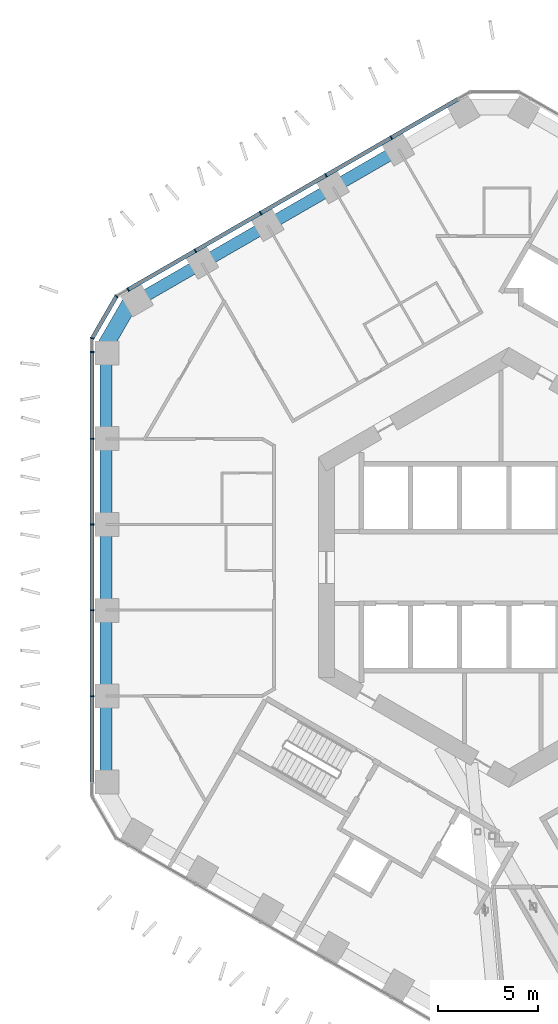
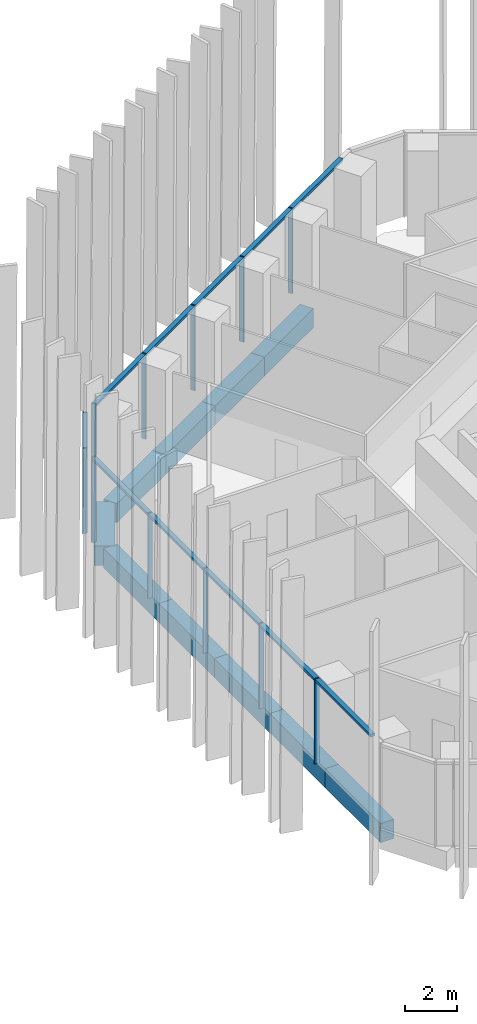
# One storey, part 7 of 29: 15 members, 10 beams, 3 elements without a shape of their own.
"""IFC4 building model written with IfcOpenShell, lengths in metres."""

from ifc_helpers import new_model, si_unit, direction, frame, origin, origin_2d, place, context, subcontext, project, spatial, rectangle, extrude, material, layer, layer_set, material_profile, profile_set, type_object, element, aggregate, save


model = new_model("IFC4")

# Units and contexts
model_context = context("Model", 3, precision=1e-05, world=origin(), true_north=direction((0.0, 1.0)))
body_context = subcontext(model_context, "Body", "Model", "MODEL_VIEW")
ifc_project = project(units=[si_unit("LENGTHUNIT", "METRE"), si_unit("AREAUNIT", "SQUARE_METRE"), si_unit("VOLUMEUNIT", "CUBIC_METRE"), si_unit("PLANEANGLEUNIT", "RADIAN"), si_unit("MASSUNIT", "GRAM", prefix="KILO")], contexts=[model_context])

# Site, building, storey
site_placement = place(None, origin())
site = spatial("IfcSite", under=ifc_project, at=site_placement, CompositionType="ELEMENT")
building_placement = place(site_placement, origin())
building = spatial("IfcBuilding", under=site, at=building_placement, Name="Ayvan Gate Tower", CompositionType="ELEMENT")
storey_placement = place(building_placement, frame((0.0, 0.0, 66.300048828125)))
storey = spatial("IfcBuildingStorey", under=building, at=storey_placement, Name="L17", CompositionType="ELEMENT", Elevation=66.300048828125)

# Beams
ifc_material_1 = material(Name="Concrete C40/50", Category="concrete")
ifc_material_profile_1 = material_profile(ifc_material_1, rectangle(XDim=0.800048828125, YDim=0.89990234375, at=origin_2d()), Name="RC 800x900")
ifc_profile_set_1 = profile_set([ifc_material_profile_1], Name="Concrete C40/50")
beam_type_1 = type_object("IfcBeamType", Name="Corner spandrel beam RC 800x900 C40/50", PredefinedType="BEAM", material=ifc_profile_set_1)
beam_1_placement = place(storey_placement, frame((-18.77783203125, 13.378662109375, -0.85009765625), z_axis=(-0.499990139034, -0.866031096941, 0.0), x_axis=(0.866031096941, -0.499990139034, 0.0)))
element("IfcBeam", 1, at=beam_1_placement, inside=storey, type_object=beam_type_1, Name="SB-L17-18", PredefinedType="BEAM", context=body_context, shape_type="SweptSolid", body=[
    extrude(rectangle(XDim=0.800048828125, YDim=0.89990234375, at=origin_2d()), origin(), (0.0, 0.0, 1.0), 3.0),
])
ifc_material_profile_2 = material_profile(ifc_material_1, rectangle(XDim=0.60009765625, YDim=0.89990234375, at=origin_2d()), Name="RC 600x900")
ifc_profile_set_2 = profile_set([ifc_material_profile_2], Name="Concrete C40/50")
beam_type_2 = type_object("IfcBeamType", Name="Spandrel beam RC 600x900 C40/50", PredefinedType="BEAM", material=ifc_profile_set_2)
beam_2_placement = place(storey_placement, frame((-5.475341796875, 20.8388671875, -0.85009765625), z_axis=(-0.866027695742, -0.499996030192, 0.0), x_axis=(0.499996030192, -0.866027695742, 0.0)))
element("IfcBeam", 2, at=beam_2_placement, inside=storey, type_object=beam_type_2, Name="SB-L17-14", PredefinedType="BEAM", context=body_context, shape_type="SweptSolid", body=[
    extrude(rectangle(XDim=0.60009765625, YDim=0.89990234375, at=origin_2d()), origin(), (0.0, 0.0, 1.0), 3.78515625),
])
beam_3_placement = place(storey_placement, frame((-8.75341796875, 18.9462890625, -0.85009765625), z_axis=(-0.866011569904, -0.500023960219, 0.0), x_axis=(0.500023960219, -0.866011569904, 0.0)))
element("IfcBeam", 3, at=beam_3_placement, inside=storey, type_object=beam_type_2, Name="SB-L17-15", PredefinedType="BEAM", context=body_context, shape_type="SweptSolid", body=[
    extrude(rectangle(XDim=0.60009765625, YDim=0.89990234375, at=origin_2d()), origin(), (0.0, 0.0, 1.0), 3.784912109375),
])
beam_4_placement = place(storey_placement, frame((-12.03125, 17.0537109375, -0.85009765625), z_axis=(-0.866027695742, -0.499996030192, 0.0), x_axis=(0.499996030192, -0.866027695742, 0.0)))
element("IfcBeam", 4, at=beam_4_placement, inside=storey, type_object=beam_type_2, Name="SB-L17-16", PredefinedType="BEAM", context=body_context, shape_type="SweptSolid", body=[
    extrude(rectangle(XDim=0.60009765625, YDim=0.89990234375, at=origin_2d()), origin(), (0.0, 0.0, 1.0), 3.78515625),
])
beam_5_placement = place(storey_placement, frame((-15.309326171875, 15.1611328125, -0.85009765625), z_axis=(-0.866011569904, -0.500023960219, 0.0), x_axis=(0.500023960219, -0.866011569904, 0.0)))
element("IfcBeam", 5, at=beam_5_placement, inside=storey, type_object=beam_type_2, Name="SB-L17-17", PredefinedType="BEAM", context=body_context, shape_type="SweptSolid", body=[
    extrude(rectangle(XDim=0.60009765625, YDim=0.89990234375, at=origin_2d()), origin(), (0.0, 0.0, 1.0), 3.784912109375),
])
for number, where, z_axis, x_axis, name in (
    (6, (-20.087158203125, 10.670654296875, -0.85009765625), (0.0, -1.0, 0.0), (1.0, 0.0, 0.0), "SB-L17-19"),
    (7, (-20.087158203125, 6.40234375, -0.85009765625), (0.0, -1.0, 0.0), (1.0, 0.0, 0.0), "SB-L17-20"),
):
    element("IfcBeam", number, at=place(storey_placement, frame(where, z_axis=z_axis, x_axis=x_axis)), inside=storey, type_object=beam_type_2, Name=name, PredefinedType="BEAM", context=body_context, shape_type="SweptSolid", body=[
        extrude(rectangle(XDim=0.60009765625, YDim=0.89990234375, at=origin_2d()), origin(), (0.0, 0.0, 1.0), 4.268310546875),
    ])
beam_6_placement = place(storey_placement, frame((-20.087158203125, 2.134033203125, -0.85009765625), z_axis=(0.0, -1.0, 0.0), x_axis=(1.0, 0.0, 0.0)))
element("IfcBeam", 8, at=beam_6_placement, inside=storey, type_object=beam_type_2, Name="SB-L17-21", PredefinedType="BEAM", context=body_context, shape_type="SweptSolid", body=[
    extrude(rectangle(XDim=0.60009765625, YDim=0.89990234375, at=origin_2d()), origin(), (0.0, 0.0, 1.0), 4.26806640625),
])
for number, where, z_axis, x_axis, name in (
    (9, (-20.087158203125, -2.134033203125, -0.85009765625), (0.0, -1.0, 0.0), (1.0, 0.0, 0.0), "SB-L17-22"),
    (10, (-20.087158203125, -6.40234375, -0.85009765625), (0.0, -1.0, 0.0), (1.0, 0.0, 0.0), "SB-L17-23"),
):
    element("IfcBeam", number, at=place(storey_placement, frame(where, z_axis=z_axis, x_axis=x_axis)), inside=storey, type_object=beam_type_2, Name=name, PredefinedType="BEAM", context=body_context, shape_type="SweptSolid", body=[
        extrude(rectangle(XDim=0.60009765625, YDim=0.89990234375, at=origin_2d()), origin(), (0.0, 0.0, 1.0), 4.268310546875),
    ])

# Curtain wall, members
ifc_material_2 = material(Name="Bronze anodised aluminium", Category="aluminium")
ifc_layer_1 = layer(ifc_material_2, 0.199951171875)
ifc_layer_set_1 = layer_set([ifc_layer_1], Name="Bronze anodised aluminium")
curtain_wall_type_1 = type_object("IfcCurtainWallType", Name="Stick curtain wall CW-1", PredefinedType="NOTDEFINED", material=ifc_layer_set_1)
curtain_wall_1_placement = place(storey_placement, origin())
curtain_wall_1 = element("IfcCurtainWall", 11, at=curtain_wall_1_placement, inside=storey, type_object=curtain_wall_type_1, Name="Stick curtain wall CW-1 L17", PredefinedType="NOTDEFINED")
ifc_material_profile_3 = material_profile(ifc_material_2, rectangle(XDim=0.199951171875, YDim=0.06005859375, at=origin_2d()), Name="Stick curtain wall CW-1 mullion 200 x 60")
ifc_profile_set_3 = profile_set([ifc_material_profile_3], Name="Bronze anodised aluminium")
member_type_1 = type_object("IfcMemberType", Name="Stick curtain wall CW-1 mullion 200 x 60", PredefinedType="MULLION", material=ifc_profile_set_3)
member_1_placement = place(storey_placement, frame((-5.85546875, 21.427490234375, 0.0), z_axis=(0.0, 0.0, 1.0), x_axis=(-0.5, 0.866025403784, 0.0)))
member_1 = element("IfcMember", 12, at=member_1_placement, type_object=member_type_1, Name="CW-1 mullion 2", PredefinedType="MULLION", context=body_context, shape_type="SweptSolid", body=[
    extrude(rectangle(XDim=0.199951171875, YDim=0.06005859375, at=origin_2d()), origin(), (0.0, 0.0, 1.0), 4.0),
])
member_2_placement = place(storey_placement, frame((-9.113525390625, 19.546630859375, 0.0), z_axis=(0.0, 0.0, 1.0), x_axis=(-0.5, 0.866025403784, 0.0)))
member_2 = element("IfcMember", 13, at=member_2_placement, type_object=member_type_1, Name="CW-1 mullion 3", PredefinedType="MULLION", context=body_context, shape_type="SweptSolid", body=[
    extrude(rectangle(XDim=0.199951171875, YDim=0.06005859375, at=origin_2d()), origin(), (0.0, 0.0, 1.0), 4.0),
])
member_3_placement = place(storey_placement, frame((-12.37158203125, 17.66552734375, 0.0), z_axis=(0.0, 0.0, 1.0), x_axis=(-0.5, 0.866025403784, 0.0)))
member_3 = element("IfcMember", 14, at=member_3_placement, type_object=member_type_1, Name="CW-1 mullion 4", PredefinedType="MULLION", context=body_context, shape_type="SweptSolid", body=[
    extrude(rectangle(XDim=0.199951171875, YDim=0.06005859375, at=origin_2d()), origin(), (0.0, 0.0, 1.0), 4.0),
])
member_4_placement = place(storey_placement, frame((-15.62939453125, 15.78466796875, 0.0), z_axis=(0.0, 0.0, 1.0), x_axis=(-0.5, 0.866025403784, 0.0)))
member_4 = element("IfcMember", 15, at=member_4_placement, type_object=member_type_1, Name="CW-1 mullion 5", PredefinedType="MULLION", context=body_context, shape_type="SweptSolid", body=[
    extrude(rectangle(XDim=0.199951171875, YDim=0.06005859375, at=origin_2d()), origin(), (0.0, 0.0, 1.0), 4.0),
])
member_5_placement = place(storey_placement, frame((-18.976318359375, 13.852294921875, 0.0), z_axis=(0.0, 0.0, 1.0), x_axis=(-0.5, 0.866025403784, 0.0)))
member_5 = element("IfcMember", 16, at=member_5_placement, type_object=member_type_1, Name="CW-1 mullion 6", PredefinedType="MULLION", context=body_context, shape_type="SweptSolid", body=[
    extrude(rectangle(XDim=0.199951171875, YDim=0.06005859375, at=origin_2d()), origin(), (0.0, 0.0, 1.0), 4.0),
])

curtain_wall_2_placement = place(storey_placement, origin())
curtain_wall_2 = element("IfcCurtainWall", 17, at=curtain_wall_2_placement, inside=storey, type_object=curtain_wall_type_1, Name="Stick curtain wall CW-1 L17", PredefinedType="NOTDEFINED")
member_6_placement = place(storey_placement, frame((-20.7724609375, 10.7412109375, 0.0), z_axis=(0.0, 0.0, 1.0), x_axis=(-1.0, 0.0, 0.0)))
member_6 = element("IfcMember", 18, at=member_6_placement, type_object=member_type_1, Name="CW-1 mullion 1", PredefinedType="MULLION", context=body_context, shape_type="SweptSolid", body=[
    extrude(rectangle(XDim=0.199951171875, YDim=0.06005859375, at=origin_2d()), origin(), (0.0, 0.0, 1.0), 4.0),
])
member_7_placement = place(storey_placement, frame((-20.7724609375, 6.419189453125, 0.0), z_axis=(0.0, 0.0, 1.0), x_axis=(-1.0, 0.0, 0.0)))
member_7 = element("IfcMember", 19, at=member_7_placement, type_object=member_type_1, Name="CW-1 mullion 2", PredefinedType="MULLION", context=body_context, shape_type="SweptSolid", body=[
    extrude(rectangle(XDim=0.199951171875, YDim=0.06005859375, at=origin_2d()), origin(), (0.0, 0.0, 1.0), 4.0),
])
member_8_placement = place(storey_placement, frame((-20.7724609375, 2.140380859375, 0.0), z_axis=(0.0, 0.0, 1.0), x_axis=(-1.0, 0.0, 0.0)))
member_8 = element("IfcMember", 20, at=member_8_placement, type_object=member_type_1, Name="CW-1 mullion 3", PredefinedType="MULLION", context=body_context, shape_type="SweptSolid", body=[
    extrude(rectangle(XDim=0.199951171875, YDim=0.06005859375, at=origin_2d()), origin(), (0.0, 0.0, 1.0), 4.0),
])
member_9_placement = place(storey_placement, frame((-20.7724609375, -2.1396484375, 0.0), z_axis=(0.0, 0.0, 1.0), x_axis=(-1.0, 0.0, 0.0)))
member_9 = element("IfcMember", 21, at=member_9_placement, type_object=member_type_1, Name="CW-1 mullion 4", PredefinedType="MULLION", context=body_context, shape_type="SweptSolid", body=[
    extrude(rectangle(XDim=0.199951171875, YDim=0.06005859375, at=origin_2d()), origin(), (0.0, 0.0, 1.0), 4.0),
])
member_10_placement = place(storey_placement, frame((-20.7724609375, -6.419677734375, 0.0), z_axis=(0.0, 0.0, 1.0), x_axis=(-1.0, 0.0, 0.0)))
member_10 = element("IfcMember", 22, at=member_10_placement, type_object=member_type_1, Name="CW-1 mullion 5", PredefinedType="MULLION", context=body_context, shape_type="SweptSolid", body=[
    extrude(rectangle(XDim=0.199951171875, YDim=0.06005859375, at=origin_2d()), origin(), (0.0, 0.0, 1.0), 4.0),
])

# Member
ifc_material_profile_4 = material_profile(ifc_material_2, rectangle(XDim=0.199951171875, YDim=0.1201171875, at=origin_2d()), Name="Stick curtain wall CW-1 transom 200 x 120")
ifc_profile_set_4 = profile_set([ifc_material_profile_4], Name="Bronze anodised aluminium")
member_type_2 = type_object("IfcMemberType", Name="Stick curtain wall CW-1 transom 200 x 120", PredefinedType="USERDEFINED", material=ifc_profile_set_4)
member_11_placement = place(storey_placement, frame((-2.50830078125, 23.360107421875, 3.93994140625), z_axis=(-0.866025446635, -0.499999925781, 0.0), x_axis=(0.499999925781, -0.866025446635, 0.0)))
member_11 = element("IfcMember", 23, at=member_11_placement, type_object=member_type_2, Name="CW-1 transom 1", ObjectType="TRANSOM", PredefinedType="USERDEFINED", context=body_context, shape_type="SweptSolid", body=[
    extrude(rectangle(XDim=0.199951171875, YDim=0.1201171875, at=origin_2d()), origin(), (0.0, 0.0, 1.0), 19.015625),
])

aggregate(curtain_wall_1, [member_1, member_2, member_3, member_4, member_5, member_11])

member_12_placement = place(storey_placement, frame((-20.7724609375, 10.7412109375, 3.93994140625), z_axis=(0.0, -1.0, 0.0), x_axis=(1.0, 0.0, 0.0)))
member_12 = element("IfcMember", 24, at=member_12_placement, type_object=member_type_2, Name="CW-1 transom 1", ObjectType="TRANSOM", PredefinedType="USERDEFINED", context=body_context, shape_type="SweptSolid", body=[
    extrude(rectangle(XDim=0.199951171875, YDim=0.1201171875, at=origin_2d()), origin(), (0.0, 0.0, 1.0), 21.482421875),
])

aggregate(curtain_wall_2, [member_6, member_7, member_8, member_9, member_10, member_12])

# Curtain wall, members
ifc_layer_2 = layer(ifc_material_2, 0.199951171875)
ifc_layer_set_2 = layer_set([ifc_layer_2], Name="Bronze anodised aluminium")
curtain_wall_type_2 = type_object("IfcCurtainWallType", Name="Stick curtain wall CW-6", PredefinedType="NOTDEFINED", material=ifc_layer_set_2)
curtain_wall_3_placement = place(storey_placement, origin())
curtain_wall_3 = element("IfcCurtainWall", 25, at=curtain_wall_3_placement, inside=storey, type_object=curtain_wall_type_2, Name="Stick curtain wall CW-6 L17", PredefinedType="NOTDEFINED")
ifc_material_profile_5 = material_profile(ifc_material_2, rectangle(XDim=0.199951171875, YDim=0.050048828125, at=origin_2d()), Name="Stick curtain wall CW-6 mullion 200 x 50")
ifc_profile_set_5 = profile_set([ifc_material_profile_5], Name="Bronze anodised aluminium")
member_type_3 = type_object("IfcMemberType", Name="Stick curtain wall CW-6 mullion 200 x 50", PredefinedType="MULLION", material=ifc_profile_set_5)
member_13_placement = place(storey_placement, frame((-19.565185546875, 13.512451171875, 0.0), z_axis=(0.0, 0.0, 1.0), x_axis=(-0.707106781187, 0.707106781187, 0.0)))
member_13 = element("IfcMember", 26, at=member_13_placement, type_object=member_type_3, Name="CW-6 mullion 2", PredefinedType="MULLION", context=body_context, shape_type="SweptSolid", body=[
    extrude(rectangle(XDim=0.199951171875, YDim=0.050048828125, at=origin_2d()), origin(), (0.0, 0.0, 1.0), 4.0),
])
member_14_placement = place(storey_placement, frame((-20.7724609375, 11.42138671875, 0.0), z_axis=(0.0, 0.0, 1.0), x_axis=(-0.965925826289, 0.258819045103, 0.0)))
member_14 = element("IfcMember", 27, at=member_14_placement, type_object=member_type_3, Name="CW-6 mullion 3", PredefinedType="MULLION", context=body_context, shape_type="SweptSolid", body=[
    extrude(rectangle(XDim=0.199951171875, YDim=0.050048828125, at=origin_2d()), origin(), (0.0, 0.0, 1.0), 4.0),
])
ifc_material_profile_6 = material_profile(ifc_material_2, rectangle(XDim=0.199951171875, YDim=0.1201171875, at=origin_2d()), Name="Stick curtain wall CW-6 transom 200 x 120")
ifc_profile_set_6 = profile_set([ifc_material_profile_6], Name="Bronze anodised aluminium")
member_type_4 = type_object("IfcMemberType", Name="Stick curtain wall CW-6 transom 200 x 120", PredefinedType="USERDEFINED", material=ifc_profile_set_6)
member_15_placement = place(storey_placement, frame((-19.57763671875, 13.49072265625, 3.93994140625), z_axis=(-0.500014398087, -0.866017090885, 0.0), x_axis=(0.866017090885, -0.500014398087, 0.0)))
member_15 = element("IfcMember", 28, at=member_15_placement, type_object=member_type_4, Name="CW-6 transom 2", ObjectType="TRANSOM", PredefinedType="USERDEFINED", context=body_context, shape_type="SweptSolid", body=[
    extrude(rectangle(XDim=0.199951171875, YDim=0.1201171875, at=origin_2d()), origin(), (0.0, 0.0, 1.0), 2.36474609375),
])
aggregate(curtain_wall_3, [member_13, member_14, member_15])

save(model, "model.ifc")
